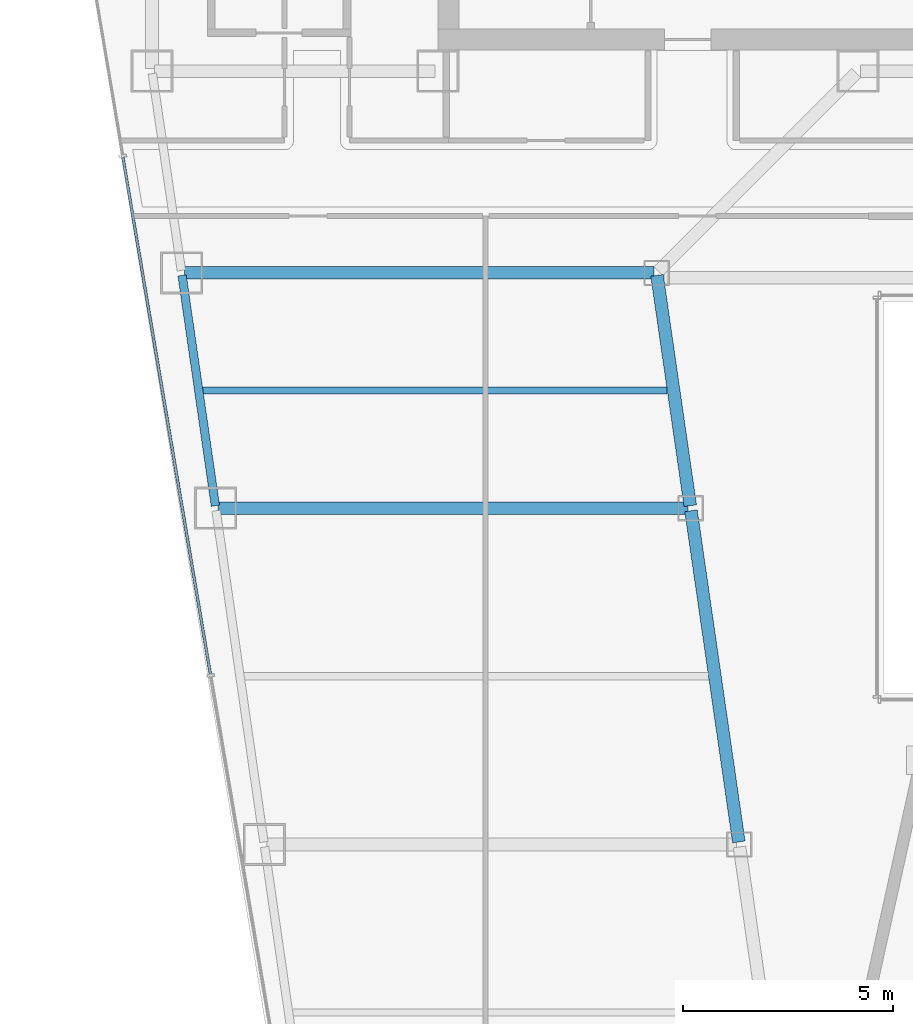
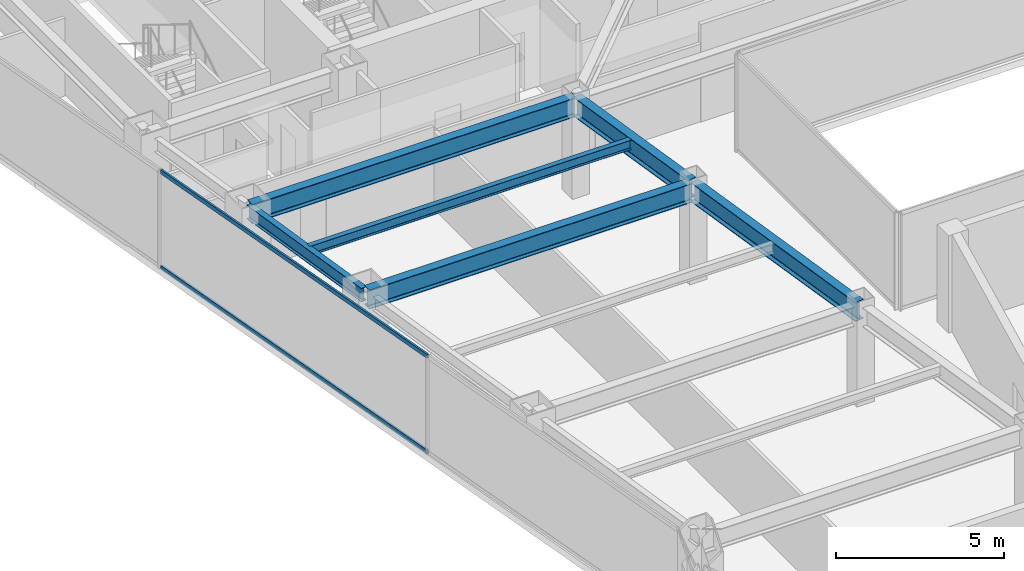
# One storey, part 5 of 31: 6 beams, 2 members, 1 element without a shape of its own.
"""IFC4 building model written with IfcOpenShell, lengths in metres."""

from ifc_helpers import new_model, si_unit, direction, frame, origin, origin_2d, place, context, subcontext, project, spatial, hollow_rectangle, i_section, extrude, material, material_profile, profile_set, type_object, element, aggregate, save


model = new_model("IFC4")

# Units and contexts
model_context = context("Model", 3, precision=1e-05, world=origin(), true_north=direction((0.0, 1.0)))
body_context = subcontext(model_context, "Body", "Model", "MODEL_VIEW")
ifc_project = project(units=[si_unit("LENGTHUNIT", "METRE"), si_unit("AREAUNIT", "SQUARE_METRE"), si_unit("VOLUMEUNIT", "CUBIC_METRE"), si_unit("PLANEANGLEUNIT", "RADIAN"), si_unit("MASSUNIT", "GRAM", prefix="KILO")], contexts=[model_context])

# Site, building, storey
site_placement = place(None, origin())
site = spatial("IfcSite", under=ifc_project, at=site_placement, CompositionType="ELEMENT")
building_placement = place(site_placement, origin())
building = spatial("IfcBuilding", under=site, at=building_placement, Name="Saevonmaru Cultural Tower", CompositionType="ELEMENT")
storey_placement = place(building_placement, frame((0.0, 0.0, 167.60009765625)))
storey = spatial("IfcBuildingStorey", under=building, at=storey_placement, Name="L37", CompositionType="ELEMENT", Elevation=167.60009765625)

# Beams
ifc_material_1 = material(Name="Steel SM355", Category="steel")
ifc_material_profile_1 = material_profile(ifc_material_1, i_section(OverallWidth=0.300048828125, OverallDepth=0.699951171875, WebThickness=0.012939453125, FlangeThickness=0.02392578125, FilletRadius=0.02587890625, at=origin_2d()), Name="H-700x300x13x24")
ifc_profile_set_1 = profile_set([ifc_material_profile_1], Name="Steel SM355")
beam_type_1 = type_object("IfcBeamType", Name="BM-G-H700", PredefinedType="BEAM", material=ifc_profile_set_1)
beam_1_placement = place(storey_placement, frame((20.763427734375, 24.059326171875, 3.199951171875), z_axis=(-0.142902032203, 0.989736838353, 0.0), x_axis=(-0.989736838353, -0.142902032203, 0.0)))
element("IfcBeam", 1, at=beam_1_placement, inside=storey, type_object=beam_type_1, Name="L37 West Atrium Girder 2", PredefinedType="BEAM", context=body_context, shape_type="SweptSolid", body=[
    extrude(i_section(OverallWidth=0.300048828125, OverallDepth=0.699951171875, WebThickness=0.012939453125, FlangeThickness=0.02392578125, FilletRadius=0.02587890625, at=origin_2d()), origin(), (0.0, 0.0, 1.0), 7.963134765625),
])
beam_2_placement = place(storey_placement, frame((19.6083984375, 32.059326171875, 3.199951171875), z_axis=(-0.142964121327, 0.989727871697, 0.0), x_axis=(-0.989727871697, -0.142964121327, 0.0)))
element("IfcBeam", 2, at=beam_2_placement, inside=storey, type_object=beam_type_1, Name="L37 West Atrium Girder 3", PredefinedType="BEAM", context=body_context, shape_type="SweptSolid", body=[
    extrude(i_section(OverallWidth=0.300048828125, OverallDepth=0.699951171875, WebThickness=0.012939453125, FlangeThickness=0.02392578125, FilletRadius=0.02587890625, at=origin_2d()), origin(), (0.0, 0.0, 1.0), 5.5380859375),
])
for number, where, z_axis, x_axis, name in (
    (3, (8.376953125, 32.0, 3.199951171875), (1.0, 0.0, 0.0), (0.0, 1.0, 0.0), "L37 West Wing Transverse Girder 3"),
    (4, (7.568115234375, 37.60009765625, 3.199951171875), (1.0, 0.0, 0.0), (0.0, 1.0, 0.0), "L37 West Wing Transverse Girder 4"),
):
    element("IfcBeam", number, at=place(storey_placement, frame(where, z_axis=z_axis, x_axis=x_axis)), inside=storey, type_object=beam_type_1, Name=name, PredefinedType="BEAM", context=body_context, shape_type="SweptSolid", body=[
        extrude(i_section(OverallWidth=0.300048828125, OverallDepth=0.699951171875, WebThickness=0.012939453125, FlangeThickness=0.02392578125, FilletRadius=0.02587890625, at=origin_2d()), origin(), (0.0, 0.0, 1.0), 11.179931640625),
    ])
ifc_material_profile_2 = material_profile(ifc_material_1, i_section(OverallWidth=0.175048828125, OverallDepth=0.35009765625, WebThickness=0.007080078125, FlangeThickness=0.010986328125, FilletRadius=0.012939453125, at=origin_2d()), Name="H-350x175x7x11")
ifc_profile_set_2 = profile_set([ifc_material_profile_2], Name="Steel SM355")
beam_type_2 = type_object("IfcBeamType", Name="BM-J-H350", PredefinedType="JOIST", material=ifc_profile_set_2)
beam_3_placement = place(storey_placement, frame((7.972412109375, 34.800048828125, 3.375), z_axis=(1.0, 0.0, 0.0), x_axis=(0.0, 1.0, 0.0)))
element("IfcBeam", 5, at=beam_3_placement, inside=storey, type_object=beam_type_2, Name="L37 West Wing Floor Joist 3", PredefinedType="JOIST", context=body_context, shape_type="SweptSolid", body=[
    extrude(i_section(OverallWidth=0.175048828125, OverallDepth=0.35009765625, WebThickness=0.007080078125, FlangeThickness=0.010986328125, FilletRadius=0.012939453125, at=origin_2d()), origin(), (0.0, 0.0, 1.0), 11.08203125),
])
ifc_material_profile_3 = material_profile(ifc_material_1, i_section(OverallWidth=0.199951171875, OverallDepth=0.5, WebThickness=0.010009765625, FlangeThickness=0.01611328125, FilletRadius=0.02001953125, at=origin_2d()), Name="H-500x200x10x16")
ifc_profile_set_3 = profile_set([ifc_material_profile_3], Name="Steel SM355")
beam_type_3 = type_object("IfcBeamType", Name="BM-SP-H500", PredefinedType="SPANDREL", material=ifc_profile_set_3)
beam_4_placement = place(storey_placement, frame((8.308349609375, 32.059326171875, 3.2998046875), z_axis=(-0.142964121327, 0.989727871697, 0.0), x_axis=(-0.989727871697, -0.142964121327, 0.0)))
element("IfcBeam", 6, at=beam_4_placement, inside=storey, type_object=beam_type_3, Name="L37 West Splayed Spandrel 3", PredefinedType="SPANDREL", context=body_context, shape_type="SweptSolid", body=[
    extrude(i_section(OverallWidth=0.199951171875, OverallDepth=0.5, WebThickness=0.010009765625, FlangeThickness=0.01611328125, FilletRadius=0.02001953125, at=origin_2d()), origin(), (0.0, 0.0, 1.0), 5.5380859375),
])

# Curtain wall, members
ifc_material_2 = material(Name="Satin Bronze Anodised Aluminium", Category="aluminium")
curtain_wall_type = type_object("IfcCurtainWallType", Name="CW-TYP-A", PredefinedType="NOTDEFINED", material=ifc_material_2)
curtain_wall_placement = place(storey_placement, origin())
curtain_wall = element("IfcCurtainWall", 7, at=curtain_wall_placement, inside=storey, type_object=curtain_wall_type, Name="L37 Unitised Curtain Wall E12", PredefinedType="NOTDEFINED")
ifc_material_profile_4 = material_profile(ifc_material_2, hollow_rectangle(XDim=0.06494140625, YDim=0.14990234375, WallThickness=0.00390625, at=origin_2d()), Name="ALU-TRAN-150x65x4")
ifc_profile_set_4 = profile_set([ifc_material_profile_4], Name="Satin Bronze Anodised Aluminium")
member_type = type_object("IfcMemberType", Name="TR-CW-150x65", PredefinedType="USERDEFINED", material=ifc_profile_set_4)
member_1_placement = place(storey_placement, frame((6.10791015625, 40.34814453125, 0.032470703125), z_axis=(0.166925351203, -0.985969536611, 0.0), x_axis=(0.985969536611, 0.166925351203, 0.0)))
member_1 = element("IfcMember", 8, at=member_1_placement, type_object=member_type, Name="CW-TW-L37-E12 transom 2.1", ObjectType="TRANSOM", PredefinedType="USERDEFINED", context=body_context, shape_type="SweptSolid", body=[
    extrude(hollow_rectangle(XDim=0.06494140625, YDim=0.14990234375, WallThickness=0.00390625, at=origin_2d()), origin(), (0.0, 0.0, 1.0), 12.471435546875),
])
member_2_placement = place(storey_placement, frame((6.10791015625, 40.34814453125, 3.517333984375), z_axis=(0.166925351203, -0.985969536611, 0.0), x_axis=(0.985969536611, 0.166925351203, 0.0)))
member_2 = element("IfcMember", 9, at=member_2_placement, type_object=member_type, Name="CW-TW-L37-E12 transom 2.2", ObjectType="TRANSOM", PredefinedType="USERDEFINED", context=body_context, shape_type="SweptSolid", body=[
    extrude(hollow_rectangle(XDim=0.06494140625, YDim=0.14990234375, WallThickness=0.00390625, at=origin_2d()), origin(), (0.0, 0.0, 1.0), 12.471435546875),
])
aggregate(curtain_wall, [member_1, member_2])

save(model, "model.ifc")
